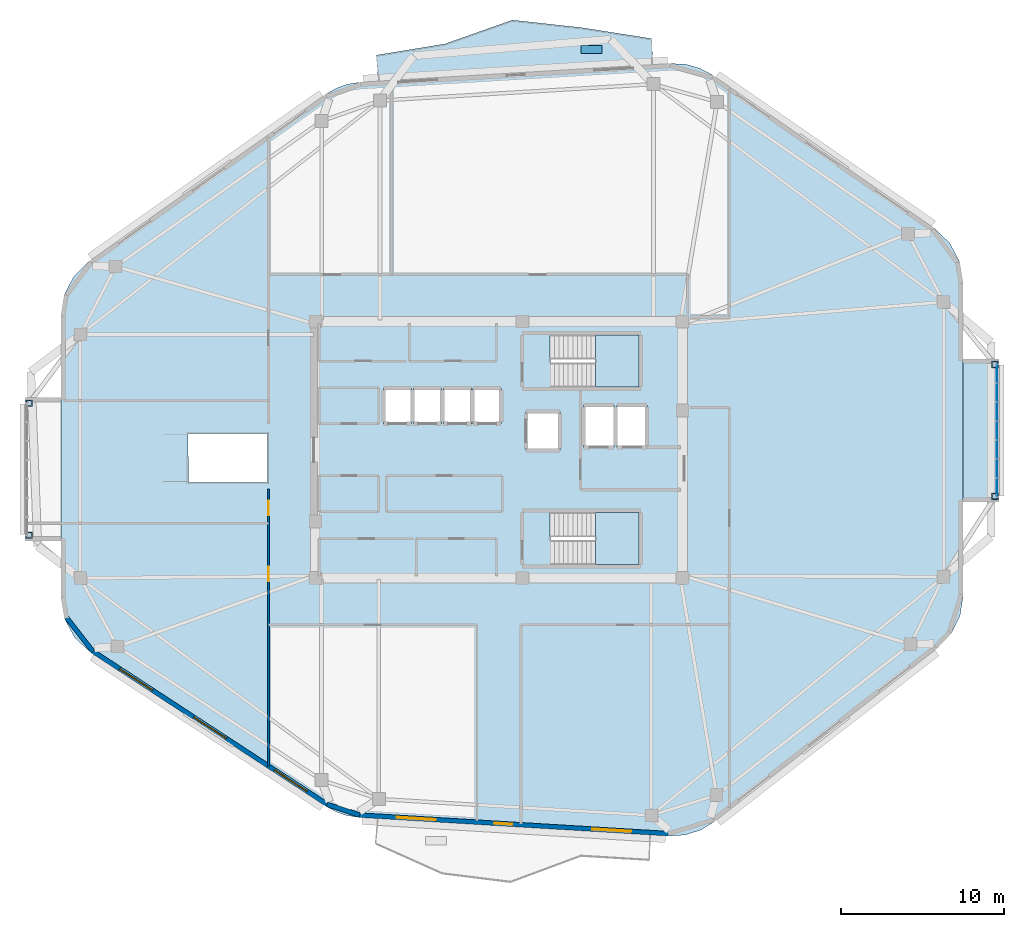
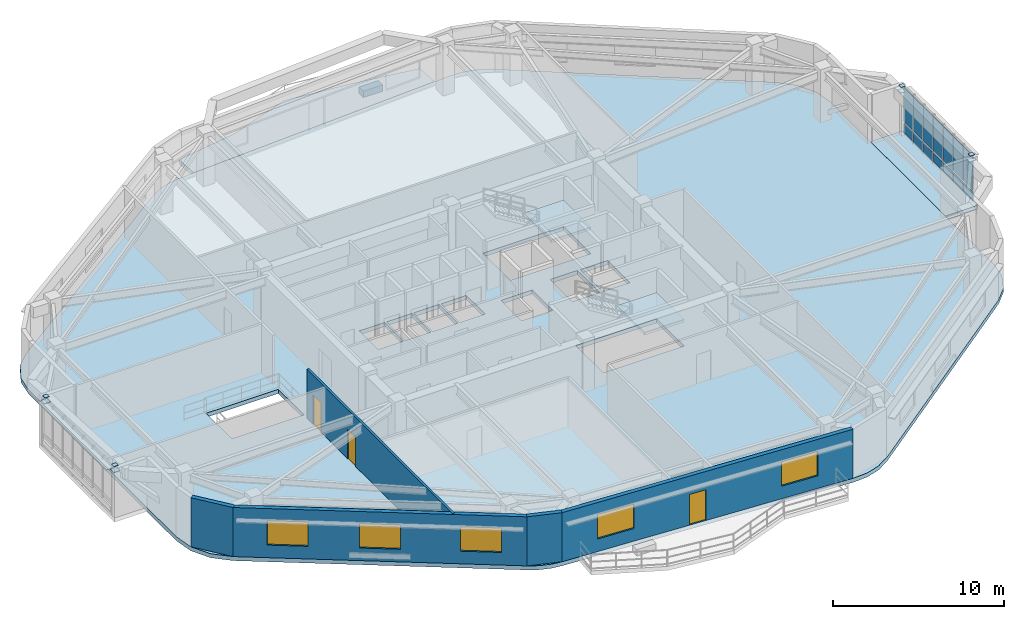
# One storey, part 10 of 16: 23 plates, 5 slabs, 5 walls, 5 windows, 3 doors, 8 openings, 3 elements without a shape of their own.
"""IFC4 building model written with IfcOpenShell, lengths in metres."""

from ifc_helpers import new_model, si_unit, direction, frame, frame_2d, origin, origin_2d, place, context, subcontext, project, spatial, polyline, rectangle, outline, extrude, material, layer, layer_set, type_object, element, fill, aggregate, save


model = new_model("IFC4")

# Units and contexts
model_context = context("Model", 3, precision=1e-05, world=origin(), true_north=direction((0.0, 1.0)))
body_context = subcontext(model_context, "Body", "Model", "MODEL_VIEW")
ifc_project = project(units=[si_unit("LENGTHUNIT", "METRE"), si_unit("AREAUNIT", "SQUARE_METRE"), si_unit("VOLUMEUNIT", "CUBIC_METRE"), si_unit("PLANEANGLEUNIT", "RADIAN"), si_unit("MASSUNIT", "GRAM", prefix="KILO")], contexts=[model_context])

# Site, building, storey
site_placement = place(None, origin())
site = spatial("IfcSite", under=ifc_project, at=site_placement, CompositionType="ELEMENT")
building_placement = place(site_placement, origin())
building = spatial("IfcBuilding", under=site, at=building_placement, Name="Zulverin Broadcast Headquarters", CompositionType="ELEMENT")
storey_placement = place(building_placement, frame((0.0, 0.0, 228.800048828125)))
storey = spatial("IfcBuildingStorey", under=building, at=storey_placement, Name="L58", CompositionType="ELEMENT", Elevation=228.800048828125)

# Curtain wall, plates
ifc_material_1 = material(Name="Acoustic triple-glazed studio box curtain wall", Category="aluminium")
curtain_wall_type = type_object("IfcCurtainWallType", Name="CW-SBOX", PredefinedType="USERDEFINED", material=ifc_material_1)
curtain_wall_placement = place(storey_placement, origin())
curtain_wall = element("IfcCurtainWall", 1, at=curtain_wall_placement, inside=storey, type_object=curtain_wall_type, Name="L58 Unitised Curtain Wall CW-L58-SBOX_SKY2_E-F", ObjectType="UNITISED CURTAIN WALL", PredefinedType="USERDEFINED")
ifc_material_2 = material(Name="Low-E double-glazed pale-silver vision glass", Category="glass")
ifc_layer_1 = layer(ifc_material_2, 0.035888671875, Name="Low-E double-glazed pale-silver vision glass", Category="glass")
ifc_layer_set_1 = layer_set([ifc_layer_1], Name="Low-E double-glazed pale-silver vision glass")
plate_type_1 = type_object("IfcPlateType", Name="CW-PNL-GLZ", PredefinedType="CURTAIN_PANEL", material=ifc_layer_set_1)
plate_1_placement = place(storey_placement, frame((67.580078125, 22.892822265625, 0.9072265625), z_axis=(0.0, 0.0, 1.0), x_axis=(0.0, 1.0, 0.0)))
plate_1 = element("IfcPlate", 2, at=plate_1_placement, type_object=plate_type_1, Name="CW-L58-SBOX_SKY2_E-F Vision Panel 00", PredefinedType="CURTAIN_PANEL", context=body_context, shape_type="SweptSolid", body=[
    extrude(rectangle(XDim=1.125732421875, YDim=0.035888671875, at=origin_2d()), origin(), (0.0, 0.0, 1.0), 2.462646484375),
])
plate_2_placement = place(storey_placement, frame((67.580078125, 24.05859375, 0.9072265625), z_axis=(0.0, 0.0, 1.0), x_axis=(0.0, 1.0, 0.0)))
plate_2 = element("IfcPlate", 3, at=plate_2_placement, type_object=plate_type_1, Name="CW-L58-SBOX_SKY2_E-F Vision Panel 01", PredefinedType="CURTAIN_PANEL", context=body_context, shape_type="SweptSolid", body=[
    extrude(rectangle(XDim=1.125732421875, YDim=0.035888671875, at=origin_2d()), origin(), (0.0, 0.0, 1.0), 2.462646484375),
])
plate_3_placement = place(storey_placement, frame((67.580078125, 25.224365234375, 0.9072265625), z_axis=(0.0, 0.0, 1.0), x_axis=(0.0, 1.0, 0.0)))
plate_3 = element("IfcPlate", 4, at=plate_3_placement, type_object=plate_type_1, Name="CW-L58-SBOX_SKY2_E-F Vision Panel 02", PredefinedType="CURTAIN_PANEL", context=body_context, shape_type="SweptSolid", body=[
    extrude(rectangle(XDim=1.125732421875, YDim=0.035888671875, at=origin_2d()), origin(), (0.0, 0.0, 1.0), 2.462646484375),
])
plate_4_placement = place(storey_placement, frame((67.580078125, 26.389892578125, 0.9072265625), z_axis=(0.0, 0.0, 1.0), x_axis=(0.0, 1.0, 0.0)))
plate_4 = element("IfcPlate", 5, at=plate_4_placement, type_object=plate_type_1, Name="CW-L58-SBOX_SKY2_E-F Vision Panel 03", PredefinedType="CURTAIN_PANEL", context=body_context, shape_type="SweptSolid", body=[
    extrude(rectangle(XDim=1.125732421875, YDim=0.035888671875, at=origin_2d()), origin(), (0.0, 0.0, 1.0), 2.462646484375),
])
plate_5_placement = place(storey_placement, frame((67.580078125, 27.5556640625, 0.9072265625), z_axis=(0.0, 0.0, 1.0), x_axis=(0.0, 1.0, 0.0)))
plate_5 = element("IfcPlate", 6, at=plate_5_placement, type_object=plate_type_1, Name="CW-L58-SBOX_SKY2_E-F Vision Panel 04", PredefinedType="CURTAIN_PANEL", context=body_context, shape_type="SweptSolid", body=[
    extrude(rectangle(XDim=1.125732421875, YDim=0.035888671875, at=origin_2d()), origin(), (0.0, 0.0, 1.0), 2.462646484375),
])
plate_6_placement = place(storey_placement, frame((67.580078125, 28.721435546875, 0.9072265625), z_axis=(0.0, 0.0, 1.0), x_axis=(0.0, 1.0, 0.0)))
plate_6 = element("IfcPlate", 7, at=plate_6_placement, type_object=plate_type_1, Name="CW-L58-SBOX_SKY2_E-F Vision Panel 05", PredefinedType="CURTAIN_PANEL", context=body_context, shape_type="SweptSolid", body=[
    extrude(rectangle(XDim=1.125732421875, YDim=0.035888671875, at=origin_2d()), origin(), (0.0, 0.0, 1.0), 2.462646484375),
])
plate_7_placement = place(storey_placement, frame((67.580078125, 29.88720703125, 0.9072265625), z_axis=(0.0, 0.0, 1.0), x_axis=(0.0, 1.0, 0.0)))
plate_7 = element("IfcPlate", 8, at=plate_7_placement, type_object=plate_type_1, Name="CW-L58-SBOX_SKY2_E-F Vision Panel 06", PredefinedType="CURTAIN_PANEL", context=body_context, shape_type="SweptSolid", body=[
    extrude(rectangle(XDim=1.125732421875, YDim=0.035888671875, at=origin_2d()), origin(), (0.0, 0.0, 1.0), 2.462646484375),
])
ifc_material_3 = material(Name="Insulated brushed pale-aluminium spandrel cassette", Category="aluminium")
ifc_layer_2 = layer(ifc_material_3, 0.050048828125, Name="Insulated brushed pale-aluminium spandrel cassette", Category="aluminium")
ifc_layer_set_2 = layer_set([ifc_layer_2], Name="Insulated brushed pale-aluminium spandrel cassette")
plate_type_2 = type_object("IfcPlateType", Name="CW-PNL-SPN", PredefinedType="CURTAIN_PANEL", material=ifc_layer_set_2)
plate_8_placement = place(storey_placement, frame((67.580078125, 22.892822265625, 0.14013671875), z_axis=(0.0, 0.0, 1.0), x_axis=(0.0, 1.0, 0.0)))
plate_8 = element("IfcPlate", 9, at=plate_8_placement, type_object=plate_type_2, Name="CW-L58-SBOX_SKY2_E-F Spandrel Cassette 00", PredefinedType="CURTAIN_PANEL", context=body_context, shape_type="SweptSolid", body=[
    extrude(rectangle(XDim=1.125732421875, YDim=0.050048828125, at=origin_2d()), origin(), (0.0, 0.0, 1.0), 0.637451171875),
])
plate_9_placement = place(storey_placement, frame((67.580078125, 24.05859375, 0.14013671875), z_axis=(0.0, 0.0, 1.0), x_axis=(0.0, 1.0, 0.0)))
plate_9 = element("IfcPlate", 10, at=plate_9_placement, type_object=plate_type_2, Name="CW-L58-SBOX_SKY2_E-F Spandrel Cassette 01", PredefinedType="CURTAIN_PANEL", context=body_context, shape_type="SweptSolid", body=[
    extrude(rectangle(XDim=1.125732421875, YDim=0.050048828125, at=origin_2d()), origin(), (0.0, 0.0, 1.0), 0.637451171875),
])
plate_10_placement = place(storey_placement, frame((67.580078125, 25.224365234375, 0.14013671875), z_axis=(0.0, 0.0, 1.0), x_axis=(0.0, 1.0, 0.0)))
plate_10 = element("IfcPlate", 11, at=plate_10_placement, type_object=plate_type_2, Name="CW-L58-SBOX_SKY2_E-F Spandrel Cassette 02", PredefinedType="CURTAIN_PANEL", context=body_context, shape_type="SweptSolid", body=[
    extrude(rectangle(XDim=1.125732421875, YDim=0.050048828125, at=origin_2d()), origin(), (0.0, 0.0, 1.0), 0.637451171875),
])
plate_11_placement = place(storey_placement, frame((67.580078125, 26.389892578125, 0.14013671875), z_axis=(0.0, 0.0, 1.0), x_axis=(0.0, 1.0, 0.0)))
plate_11 = element("IfcPlate", 12, at=plate_11_placement, type_object=plate_type_2, Name="CW-L58-SBOX_SKY2_E-F Spandrel Cassette 03", PredefinedType="CURTAIN_PANEL", context=body_context, shape_type="SweptSolid", body=[
    extrude(rectangle(XDim=1.125732421875, YDim=0.050048828125, at=origin_2d()), origin(), (0.0, 0.0, 1.0), 0.637451171875),
])
plate_12_placement = place(storey_placement, frame((67.580078125, 27.5556640625, 0.14013671875), z_axis=(0.0, 0.0, 1.0), x_axis=(0.0, 1.0, 0.0)))
plate_12 = element("IfcPlate", 13, at=plate_12_placement, type_object=plate_type_2, Name="CW-L58-SBOX_SKY2_E-F Spandrel Cassette 04", PredefinedType="CURTAIN_PANEL", context=body_context, shape_type="SweptSolid", body=[
    extrude(rectangle(XDim=1.125732421875, YDim=0.050048828125, at=origin_2d()), origin(), (0.0, 0.0, 1.0), 0.637451171875),
])
plate_13_placement = place(storey_placement, frame((67.580078125, 28.721435546875, 0.14013671875), z_axis=(0.0, 0.0, 1.0), x_axis=(0.0, 1.0, 0.0)))
plate_13 = element("IfcPlate", 14, at=plate_13_placement, type_object=plate_type_2, Name="CW-L58-SBOX_SKY2_E-F Spandrel Cassette 05", PredefinedType="CURTAIN_PANEL", context=body_context, shape_type="SweptSolid", body=[
    extrude(rectangle(XDim=1.125732421875, YDim=0.050048828125, at=origin_2d()), origin(), (0.0, 0.0, 1.0), 0.637451171875),
])
plate_14_placement = place(storey_placement, frame((67.580078125, 29.88720703125, 0.14013671875), z_axis=(0.0, 0.0, 1.0), x_axis=(0.0, 1.0, 0.0)))
plate_14 = element("IfcPlate", 15, at=plate_14_placement, type_object=plate_type_2, Name="CW-L58-SBOX_SKY2_E-F Spandrel Cassette 06", PredefinedType="CURTAIN_PANEL", context=body_context, shape_type="SweptSolid", body=[
    extrude(rectangle(XDim=1.125732421875, YDim=0.050048828125, at=origin_2d()), origin(), (0.0, 0.0, 1.0), 0.637451171875),
])
aggregate(curtain_wall, [plate_8, plate_1, plate_9, plate_2, plate_10, plate_3, plate_11, plate_4, plate_12, plate_5, plate_13, plate_6, plate_14, plate_7])

# Plates
ifc_material_4 = material(Name="Structural steel S355JR", Category="steel")
ifc_layer_3 = layer(ifc_material_4, 0.02490234375, Name="Structural steel S355JR", Category="steel")
ifc_layer_set_3 = layer_set([ifc_layer_3], Name="Structural steel S355JR")
plate_type_3 = type_object("IfcPlateType", Name="PLT-NODE-SBN1", PredefinedType="SHEET", material=ifc_layer_set_3)
plate_15_placement = place(storey_placement, frame((67.449951171875, 22.340087890625, 3.507568359375), z_axis=(0.0, 0.0, 1.0), x_axis=(1.0, 0.0, 0.0)))
element("IfcPlate", 16, at=plate_15_placement, inside=storey, type_object=plate_type_3, Name="SBN-1 Studio Box Post End Cap Plate L58-SBOX_SKY2_E-1", PredefinedType="SHEET", context=body_context, shape_type="SweptSolid", body=[
    extrude(rectangle(XDim=0.300048828125, YDim=0.300048828125, at=origin_2d()), origin(), (0.0, 0.0, 1.0), 0.02490234375),
])
plate_16_placement = place(storey_placement, frame((67.449951171875, 22.340087890625, 3.1474609375), z_axis=(0.0, 0.0, 1.0), x_axis=(1.0, 0.0, 0.0)))
element("IfcPlate", 17, at=plate_16_placement, inside=storey, type_object=plate_type_3, Name="SBN-1 Studio Box Node Gusset Plate L58-SBOX_SKY2_E-1", PredefinedType="SHEET", context=body_context, shape_type="SweptSolid", body=[
    extrude(rectangle(XDim=0.419921875, YDim=0.419921875, at=origin_2d()), origin(), (0.0, 0.0, 1.0), 0.02490234375),
])
plate_17_placement = place(storey_placement, frame((67.449951171875, 30.43994140625, 3.507568359375), z_axis=(0.0, 0.0, 1.0), x_axis=(1.0, 0.0, 0.0)))
element("IfcPlate", 18, at=plate_17_placement, inside=storey, type_object=plate_type_3, Name="SBN-1 Studio Box Post End Cap Plate L58-SBOX_SKY2_E-2", PredefinedType="SHEET", context=body_context, shape_type="SweptSolid", body=[
    extrude(rectangle(XDim=0.300048828125, YDim=0.300048828125, at=origin_2d()), origin(), (0.0, 0.0, 1.0), 0.02490234375),
])
plate_18_placement = place(storey_placement, frame((67.449951171875, 30.43994140625, 3.1474609375), z_axis=(0.0, 0.0, 1.0), x_axis=(1.0, 0.0, 0.0)))
element("IfcPlate", 19, at=plate_18_placement, inside=storey, type_object=plate_type_3, Name="SBN-1 Studio Box Node Gusset Plate L58-SBOX_SKY2_E-2", PredefinedType="SHEET", context=body_context, shape_type="SweptSolid", body=[
    extrude(rectangle(XDim=0.419921875, YDim=0.419921875, at=origin_2d()), origin(), (0.0, 0.0, 1.0), 0.02490234375),
])
plate_19_placement = place(storey_placement, frame((8.14990234375, 19.9599609375, 3.507568359375), z_axis=(0.0, 0.0, 1.0), x_axis=(1.0, 0.0, 0.0)))
element("IfcPlate", 20, at=plate_19_placement, inside=storey, type_object=plate_type_3, Name="SBN-1 Studio Box Post End Cap Plate L58-SBOX_SKY2_W-1", PredefinedType="SHEET", context=body_context, shape_type="SweptSolid", body=[
    extrude(rectangle(XDim=0.300048828125, YDim=0.300048828125, at=origin_2d()), origin(), (0.0, 0.0, 1.0), 0.02490234375),
])
plate_20_placement = place(storey_placement, frame((8.14990234375, 19.9599609375, 3.1474609375), z_axis=(0.0, 0.0, 1.0), x_axis=(1.0, 0.0, 0.0)))
element("IfcPlate", 21, at=plate_20_placement, inside=storey, type_object=plate_type_3, Name="SBN-1 Studio Box Node Gusset Plate L58-SBOX_SKY2_W-1", PredefinedType="SHEET", context=body_context, shape_type="SweptSolid", body=[
    extrude(rectangle(XDim=0.419921875, YDim=0.419921875, at=origin_2d()), origin(), (0.0, 0.0, 1.0), 0.02490234375),
])
plate_21_placement = place(storey_placement, frame((8.14990234375, 28.06005859375, 3.507568359375), z_axis=(0.0, 0.0, 1.0), x_axis=(1.0, 0.0, 0.0)))
element("IfcPlate", 22, at=plate_21_placement, inside=storey, type_object=plate_type_3, Name="SBN-1 Studio Box Post End Cap Plate L58-SBOX_SKY2_W-2", PredefinedType="SHEET", context=body_context, shape_type="SweptSolid", body=[
    extrude(rectangle(XDim=0.300048828125, YDim=0.300048828125, at=origin_2d()), origin(), (0.0, 0.0, 1.0), 0.02490234375),
])
plate_22_placement = place(storey_placement, frame((8.14990234375, 28.06005859375, 3.1474609375), z_axis=(0.0, 0.0, 1.0), x_axis=(1.0, 0.0, 0.0)))
element("IfcPlate", 23, at=plate_22_placement, inside=storey, type_object=plate_type_3, Name="SBN-1 Studio Box Node Gusset Plate L58-SBOX_SKY2_W-2", PredefinedType="SHEET", context=body_context, shape_type="SweptSolid", body=[
    extrude(rectangle(XDim=0.419921875, YDim=0.419921875, at=origin_2d()), origin(), (0.0, 0.0, 1.0), 0.02490234375),
])
ifc_material_5 = material(Name="Precast concrete C45/55", Category="concrete")
ifc_layer_4 = layer(ifc_material_5, 0.449951171875, Name="Precast concrete C45/55", Category="concrete")
ifc_layer_set_4 = layer_set([ifc_layer_4], Name="Precast concrete C45/55")
plate_type_4 = type_object("IfcPlateType", Name="PT-01_PRECAST_GFRC_TREE_PLANTER", PredefinedType="USERDEFINED", material=ifc_layer_set_4)
plate_23_placement = place(storey_placement, frame((42.6767578125, 49.7744140625, -0.0048828125), z_axis=(0.0, 0.0, 1.0), x_axis=(1.0, 0.0, 0.0)))
element("IfcPlate", 24, at=plate_23_placement, inside=storey, type_object=plate_type_4, Name="L58 Precast GFRC Tree Planter BAL_N", ObjectType="PLANTER", PredefinedType="USERDEFINED", context=body_context, shape_type="SweptSolid", body=[
    extrude(rectangle(XDim=1.300048828125, YDim=0.5, at=origin_2d()), origin(), (0.0, 0.0, 1.0), 0.449951171875),
])

# Slab
ifc_material_6 = material(Name="Concrete C40/50", Category="concrete")
ifc_layer_5 = layer(ifc_material_6, 0.2900390625, Name="Concrete C40/50", Category="concrete")
ifc_layer_set_5 = layer_set([ifc_layer_5], Name="Concrete C40/50")
slab_type_1 = type_object("IfcSlabType", Name="SLB-BAL-290", PredefinedType="FLOOR", material=ifc_layer_set_5)
slab_1_placement = place(storey_placement, frame((0.0, 0.0, -0.2900390625)))
element("IfcSlab", 25, at=slab_1_placement, inside=storey, type_object=slab_type_1, Name="L58 Cantilevered Planted Balcony Slab BAL_N", PredefinedType="FLOOR", context=body_context, shape_type="SweptSolid", body=[
    extrude(outline(polyline([(29.5791015625, 47.835693359375), (46.45947265625, 48.849365234375), (46.363525390625, 50.4462890625), (42.087890625, 51.118896484375), (37.824462890625, 51.58740234375), (33.677001953125, 50.1201171875), (29.483154296875, 49.43310546875), (29.5791015625, 47.835693359375)])), origin(), (0.0, 0.0, 1.0), 0.2900390625),
])

# Stair, slab
stair_type = type_object("IfcStairType", Name="ST-CORE-1500", PredefinedType="HALF_TURN_STAIR", material=ifc_material_6)
stair_1_placement = place(storey_placement, origin())
stair_1 = element("IfcStair", 26, at=stair_1_placement, inside=storey, type_object=stair_type, Name="L58 Core Exit Stair ST-1", PredefinedType="HALF_TURN_STAIR")
ifc_layer_6 = layer(ifc_material_6, 0.199951171875, Name="Concrete C40/50", Category="concrete")
ifc_layer_set_6 = layer_set([ifc_layer_6], Name="Concrete C40/50")
slab_type_2 = type_object("IfcSlabType", Name="SLB-ST-LND200", PredefinedType="LANDING", material=ifc_layer_set_6)
slab_2_placement = place(storey_placement, frame((0.0, 0.0, 1.699951171875)))
slab_2 = element("IfcSlab", 27, at=slab_2_placement, type_object=slab_type_2, Name="ST-1 landing 1", PredefinedType="LANDING", context=body_context, shape_type="SweptSolid", body=[
    extrude(outline(polyline([(42.929931640625, 29.050048828125), (45.60009765625, 29.050048828125), (45.60009765625, 32.25), (42.929931640625, 32.25), (42.929931640625, 29.050048828125)])), origin(), (0.0, 0.0, 1.0), 0.199951171875),
])
aggregate(stair_1, [slab_2])

stair_2_placement = place(storey_placement, origin())
stair_2 = element("IfcStair", 28, at=stair_2_placement, inside=storey, type_object=stair_type, Name="L58 Core Exit Stair ST-2", PredefinedType="HALF_TURN_STAIR")
slab_3_placement = place(storey_placement, frame((0.0, 0.0, 1.699951171875)))
slab_3 = element("IfcSlab", 29, at=slab_3_placement, type_object=slab_type_2, Name="ST-2 landing 1", PredefinedType="LANDING", context=body_context, shape_type="SweptSolid", body=[
    extrude(outline(polyline([(42.929931640625, 18.14990234375), (45.60009765625, 18.14990234375), (45.60009765625, 21.35009765625), (42.929931640625, 21.35009765625), (42.929931640625, 18.14990234375)])), origin(), (0.0, 0.0, 1.0), 0.199951171875),
])
aggregate(stair_2, [slab_3])

# Slabs
ifc_layer_7 = layer(ifc_material_6, 0.2900390625, Name="Concrete C40/50", Category="concrete")
ifc_layer_set_7 = layer_set([ifc_layer_7], Name="Concrete C40/50")
slab_type_3 = type_object("IfcSlabType", Name="SLB-TWR-290", PredefinedType="FLOOR", material=ifc_layer_set_7)
slab_4_placement = place(storey_placement, frame((0.0, 0.0, -0.2900390625)))
element("IfcSlab", 30, at=slab_4_placement, inside=storey, type_object=slab_type_3, Name="L58 Main Structural Floor Slab", PredefinedType="FLOOR", context=body_context, shape_type="SweptSolid", body=[
    extrude(outline(polyline([(26.405029296875, 3.295166015625), (27.029296875, 2.96044921875), (27.70166015625, 2.738037109375), (28.402099609375, 2.634765625), (47.427490234375, 1.49267578125), (48.40869140625, 1.5517578125), (49.347412109375, 1.842529296875), (50.18994140625, 2.348388671875), (63.91650390625, 13.02099609375), (64.7685546875, 13.92041015625), (65.312744140625, 15.033203125), (65.5, 16.2578125), (65.5, 35.42578125), (65.289306640625, 36.723388671875), (64.6787109375, 37.887451171875), (63.73095703125, 38.798583984375), (50.13427734375, 48.1953125), (49.3359375, 48.625244140625), (48.462890625, 48.869140625), (47.557373046875, 48.915283203125), (28.48095703125, 47.77001953125), (27.73291015625, 47.655029296875), (27.0185546875, 47.404541015625), (26.362548828125, 47.027099609375), (11.8359375, 36.775146484375), (10.9052734375, 35.865478515625), (10.306396484375, 34.710205078125), (10.10009765625, 33.42529296875), (10.10009765625, 16.168701171875), (10.322021484375, 14.83740234375), (10.96435546875, 13.650390625), (11.957275390625, 12.736328125), (26.405029296875, 3.295166015625)]), holes=[polyline([(40.155029296875, 30.75), (40.130126953125, 30.75), (40.130126953125, 32.25), (45.60009765625, 32.25), (45.60009765625, 29.050048828125), (40.155029296875, 29.050048828125), (40.155029296875, 30.75)]), polyline([(40.155029296875, 19.85009765625), (40.130126953125, 19.85009765625), (40.130126953125, 21.35009765625), (45.60009765625, 21.35009765625), (45.60009765625, 18.14990234375), (40.155029296875, 18.14990234375), (40.155029296875, 19.85009765625)]), polyline([(17.925048828125, 24.800048828125), (17.900146484375, 24.800048828125), (17.900146484375, 26.199951171875), (22.800048828125, 26.199951171875), (22.800048828125, 23.199951171875), (17.925048828125, 23.199951171875), (17.925048828125, 24.800048828125)]), polyline([(29.89990234375, 26.800048828125), (31.6201171875, 26.800048828125), (31.6201171875, 29.0), (29.89990234375, 29.0), (29.89990234375, 26.800048828125)]), polyline([(31.739990234375, 26.800048828125), (33.4599609375, 26.800048828125), (33.4599609375, 29.0), (31.739990234375, 29.0), (31.739990234375, 26.800048828125)]), polyline([(33.580078125, 26.800048828125), (35.300048828125, 26.800048828125), (35.300048828125, 29.0), (33.580078125, 29.0), (33.580078125, 26.800048828125)]), polyline([(35.419921875, 26.800048828125), (37.139892578125, 26.800048828125), (37.139892578125, 29.0), (35.419921875, 29.0), (35.419921875, 26.800048828125)]), polyline([(42.199951171875, 25.35009765625), (44.050048828125, 25.35009765625), (44.050048828125, 27.949951171875), (42.199951171875, 27.949951171875), (42.199951171875, 25.35009765625)]), polyline([(44.25, 25.35009765625), (46.10009765625, 25.35009765625), (46.10009765625, 27.949951171875), (44.25, 27.949951171875), (44.25, 25.35009765625)]), polyline([(38.64990234375, 25.14990234375), (40.75, 25.14990234375), (40.75, 27.550048828125), (38.64990234375, 27.550048828125), (38.64990234375, 25.14990234375)])]), origin(), (0.0, 0.0, 1.0), 0.2900390625),
])
slab_5_placement = place(storey_placement, frame((0.0, 0.0, -0.2900390625)))
element("IfcSlab", 31, at=slab_5_placement, inside=storey, type_object=slab_type_3, Name="L58 Shifted Broadcast Studio Box Floor Slab SBOX_SKY2_E", PredefinedType="FLOOR", context=body_context, shape_type="SweptSolid", body=[
    extrude(outline(polyline([(65.5, 21.989990234375), (67.699951171875, 21.989990234375), (67.699951171875, 30.7900390625), (65.5, 30.7900390625), (65.5, 21.989990234375)])), origin(), (0.0, 0.0, 1.0), 0.2900390625),
])

# Wall, openings, door, windows
ifc_material_7 = material(Name="Insulated pale-metal clad concrete spandrel C40/50", Category="concrete")
ifc_layer_8 = layer(ifc_material_7, 0.280029296875, Name="Insulated pale-metal clad concrete spandrel C40/50", Category="concrete")
ifc_layer_set_8 = layer_set([ifc_layer_8], Name="Insulated pale-metal clad concrete spandrel C40/50")
wall_type_1 = type_object("IfcWallType", Name="WL-EXT-280", PredefinedType="STANDARD", material=ifc_layer_set_8)
wall_1_placement = place(storey_placement, frame((28.41064453125, 2.7744140625, 0.0), z_axis=(0.0, 0.0, 1.0), x_axis=(0.998203068368, -0.059921901676, 0.0)))
wall_1 = element("IfcWall", 32, at=wall_1_placement, inside=storey, type_object=wall_type_1, Name="L58 Pale-Metal Clad Spandrel Wall 1", PredefinedType="STANDARD", context=body_context, shape_type="SweptSolid", body=[
    extrude(rectangle(XDim=19.0595703125, YDim=0.280029296875, at=frame_2d((9.52978515625, 0.0))), origin(), (0.0, 0.0, 1.0), 3.510009765625),
])
opening_1_placement = place(wall_1_placement, frame((8.329833984375, 0.0, 0.0)))
opening_1 = element("IfcOpeningElement", 33, at=opening_1_placement, cuts=wall_1, Name="Opening D-L58-TR1", PredefinedType="OPENING", context=body_context, shape_type="SweptSolid", body=[
    extrude(rectangle(XDim=1.10009765625, YDim=2.199951171875, at=frame_2d((0.550048828125, 1.10009765625))), frame((0.0, 0.14990234375, 0.0), z_axis=(0.0, -1.0, 0.0), x_axis=(1.0, 0.0, 0.0)), (0.0, 0.0, 1.0), 0.300048828125),
])
opening_2_placement = place(wall_1_placement, frame((2.309814453125, 0.0, 0.89990234375)))
opening_2 = element("IfcOpeningElement", 34, at=opening_2_placement, cuts=wall_1, Name="Opening W-L58-E11", PredefinedType="OPENING", context=body_context, shape_type="SweptSolid", body=[
    extrude(rectangle(XDim=2.39990234375, YDim=1.75, at=frame_2d((1.199951171875, 0.875))), frame((0.0, 0.14990234375, 0.0), z_axis=(0.0, -1.0, 0.0), x_axis=(1.0, 0.0, 0.0)), (0.0, 0.0, 1.0), 0.300048828125),
])
opening_3_placement = place(wall_1_placement, frame((14.349609375, 0.0, 0.89990234375)))
opening_3 = element("IfcOpeningElement", 35, at=opening_3_placement, cuts=wall_1, Name="Opening W-L58-E12", PredefinedType="OPENING", context=body_context, shape_type="SweptSolid", body=[
    extrude(rectangle(XDim=2.39990234375, YDim=1.75, at=frame_2d((1.199951171875, 0.875))), frame((0.0, 0.14990234375, 0.0), z_axis=(0.0, -1.0, 0.0), x_axis=(1.0, 0.0, 0.0)), (0.0, 0.0, 1.0), 0.300048828125),
])
ifc_material_8 = material(Name="Thermally broken aluminium glazed", Category="aluminium")
door_type_1 = type_object("IfcDoorType", Name="DR-TERR-1100", OperationType="SINGLE_SWING_RIGHT", PredefinedType="DOOR", material=ifc_material_8)
door_1_placement = place(opening_1_placement, origin())
door_1 = element("IfcDoor", 36, at=door_1_placement, inside=storey, type_object=door_type_1, Name="L58 Planted Terrace Glazed Access Door 1", OperationType="SINGLE_SWING_RIGHT", OverallHeight=2.199951171875, OverallWidth=1.10009765625, PredefinedType="DOOR", context=body_context, shape_type="SweptSolid", body=[
    extrude(rectangle(XDim=1.10009765625, YDim=2.199951171875, at=frame_2d((0.550048828125, 1.10009765625))), frame((0.0, 0.02490234375, 0.0), z_axis=(0.0, -1.0, 0.0), x_axis=(1.0, 0.0, 0.0)), (0.0, 0.0, 1.0), 0.050048828125),
])
fill(opening_1, door_1)
ifc_material_9 = material(Name="Pale anodized aluminium frame with solar-control low-E double glazing", Category="aluminium")
window_type = type_object("IfcWindowType", Name="WIN-RIB-2400", PartitioningType="SINGLE_PANEL", PredefinedType="WINDOW", material=ifc_material_9)
window_1_placement = place(opening_2_placement, origin())
window_1 = element("IfcWindow", 37, at=window_1_placement, inside=storey, type_object=window_type, Name="L58 Ribbon Glazing Window 1 1", OverallHeight=1.75, OverallWidth=2.39990234375, PartitioningType="SINGLE_PANEL", PredefinedType="WINDOW", context=body_context, shape_type="SweptSolid", body=[
    extrude(rectangle(XDim=2.39990234375, YDim=1.75, at=frame_2d((1.199951171875, 0.875))), frame((0.0, 0.030029296875, 0.0), z_axis=(0.0, -1.0, 0.0), x_axis=(1.0, 0.0, 0.0)), (0.0, 0.0, 1.0), 0.06005859375),
])
fill(opening_2, window_1)
window_2_placement = place(opening_3_placement, origin())
window_2 = element("IfcWindow", 38, at=window_2_placement, inside=storey, type_object=window_type, Name="L58 Ribbon Glazing Window 1 2", OverallHeight=1.75, OverallWidth=2.39990234375, PartitioningType="SINGLE_PANEL", PredefinedType="WINDOW", context=body_context, shape_type="SweptSolid", body=[
    extrude(rectangle(XDim=2.39990234375, YDim=1.75, at=frame_2d((1.199951171875, 0.875))), frame((0.0, 0.030029296875, 0.0), z_axis=(0.0, -1.0, 0.0), x_axis=(1.0, 0.0, 0.0)), (0.0, 0.0, 1.0), 0.06005859375),
])
fill(opening_3, window_2)

# Wall, openings, windows
wall_2_placement = place(storey_placement, frame((12.03369140625, 12.853515625, 0.0), z_axis=(0.0, 0.0, 1.0), x_axis=(0.837118352984, -0.547021812269, 0.0)))
wall_2 = element("IfcWall", 39, at=wall_2_placement, inside=storey, type_object=wall_type_1, Name="L58 Pale-Metal Clad Spandrel Wall 8", PredefinedType="STANDARD", context=body_context, shape_type="SweptSolid", body=[
    extrude(rectangle(XDim=17.25927734375, YDim=0.280029296875, at=frame_2d((8.629638671875, 0.0))), origin(), (0.0, 0.0, 1.0), 3.510009765625),
])
opening_4_placement = place(wall_2_placement, frame((2.010009765625, 0.0, 0.89990234375)))
opening_4 = element("IfcOpeningElement", 40, at=opening_4_placement, cuts=wall_2, Name="Opening W-L58-E81", PredefinedType="OPENING", context=body_context, shape_type="SweptSolid", body=[
    extrude(rectangle(XDim=2.39990234375, YDim=1.75, at=frame_2d((1.199951171875, 0.875))), frame((0.0, 0.14990234375, 0.0), z_axis=(0.0, -1.0, 0.0), x_axis=(1.0, 0.0, 0.0)), (0.0, 0.0, 1.0), 0.300048828125),
])
opening_5_placement = place(wall_2_placement, frame((7.4296875, 0.0, 0.89990234375)))
opening_5 = element("IfcOpeningElement", 41, at=opening_5_placement, cuts=wall_2, Name="Opening W-L58-E82", PredefinedType="OPENING", context=body_context, shape_type="SweptSolid", body=[
    extrude(rectangle(XDim=2.39990234375, YDim=1.75, at=frame_2d((1.199951171875, 0.875))), frame((0.0, 0.14990234375, 0.0), z_axis=(0.0, -1.0, 0.0), x_axis=(1.0, 0.0, 0.0)), (0.0, 0.0, 1.0), 0.300048828125),
])
opening_6_placement = place(wall_2_placement, frame((13.349365234375, 0.0, 0.89990234375)))
opening_6 = element("IfcOpeningElement", 42, at=opening_6_placement, cuts=wall_2, Name="Opening W-L58-E83", PredefinedType="OPENING", context=body_context, shape_type="SweptSolid", body=[
    extrude(rectangle(XDim=2.39990234375, YDim=1.75, at=frame_2d((1.199951171875, 0.875))), frame((0.0, 0.14990234375, 0.0), z_axis=(0.0, -1.0, 0.0), x_axis=(1.0, 0.0, 0.0)), (0.0, 0.0, 1.0), 0.300048828125),
])
window_3_placement = place(opening_4_placement, origin())
window_3 = element("IfcWindow", 43, at=window_3_placement, inside=storey, type_object=window_type, Name="L58 Ribbon Glazing Window 8 1", OverallHeight=1.75, OverallWidth=2.39990234375, PartitioningType="SINGLE_PANEL", PredefinedType="WINDOW", context=body_context, shape_type="SweptSolid", body=[
    extrude(rectangle(XDim=2.39990234375, YDim=1.75, at=frame_2d((1.199951171875, 0.875))), frame((0.0, 0.030029296875, 0.0), z_axis=(0.0, -1.0, 0.0), x_axis=(1.0, 0.0, 0.0)), (0.0, 0.0, 1.0), 0.06005859375),
])
fill(opening_4, window_3)
window_4_placement = place(opening_5_placement, origin())
window_4 = element("IfcWindow", 44, at=window_4_placement, inside=storey, type_object=window_type, Name="L58 Ribbon Glazing Window 8 2", OverallHeight=1.75, OverallWidth=2.39990234375, PartitioningType="SINGLE_PANEL", PredefinedType="WINDOW", context=body_context, shape_type="SweptSolid", body=[
    extrude(rectangle(XDim=2.39990234375, YDim=1.75, at=frame_2d((1.199951171875, 0.875))), frame((0.0, 0.030029296875, 0.0), z_axis=(0.0, -1.0, 0.0), x_axis=(1.0, 0.0, 0.0)), (0.0, 0.0, 1.0), 0.06005859375),
])
fill(opening_5, window_4)
window_5_placement = place(opening_6_placement, origin())
window_5 = element("IfcWindow", 45, at=window_5_placement, inside=storey, type_object=window_type, Name="L58 Ribbon Glazing Window 8 3", OverallHeight=1.75, OverallWidth=2.39990234375, PartitioningType="SINGLE_PANEL", PredefinedType="WINDOW", context=body_context, shape_type="SweptSolid", body=[
    extrude(rectangle(XDim=2.39990234375, YDim=1.75, at=frame_2d((1.199951171875, 0.875))), frame((0.0, 0.030029296875, 0.0), z_axis=(0.0, -1.0, 0.0), x_axis=(1.0, 0.0, 0.0)), (0.0, 0.0, 1.0), 0.06005859375),
])
fill(opening_6, window_5)

# Walls
wall_3_placement = place(storey_placement, frame((10.4326171875, 14.92333984375, 0.0), z_axis=(0.0, 0.0, 1.0), x_axis=(0.614181852676, -0.78916452774, 0.0)))
element("IfcWall", 46, at=wall_3_placement, inside=storey, type_object=wall_type_1, Name="L58 Wind-Shaped Corner Spandrel Wall 7-2", PredefinedType="STANDARD", context=body_context, shape_type="SweptSolid", body=[
    extrude(rectangle(XDim=2.662109375, YDim=0.280029296875, at=frame_2d((1.3310546875, 0.0))), origin(), (0.0, 0.0, 1.0), 3.510009765625),
])
wall_4_placement = place(storey_placement, frame((26.44921875, 3.427978515625, 0.0), z_axis=(0.0, 0.0, 1.0), x_axis=(0.949435039229, -0.313963542923, 0.0)))
element("IfcWall", 47, at=wall_4_placement, inside=storey, type_object=wall_type_1, Name="L58 Wind-Shaped Corner Spandrel Wall 8-1", PredefinedType="STANDARD", context=body_context, shape_type="SweptSolid", body=[
    extrude(rectangle(XDim=2.103515625, YDim=0.280029296875, at=frame_2d((1.0517578125, 0.0))), origin(), (0.0, 0.0, 1.0), 3.510009765625),
])

# Wall, openings, doors
ifc_material_10 = material(Name="Fire-rated gypsum stud partition", Category="gypsum")
ifc_layer_9 = layer(ifc_material_10, 0.14990234375, Name="Fire-rated gypsum stud partition", Category="gypsum")
ifc_layer_set_9 = layer_set([ifc_layer_9], Name="Fire-rated gypsum stud partition")
wall_type_2 = type_object("IfcWallType", Name="WL-PART-150", PredefinedType="PARTITIONING", material=ifc_layer_set_9)
wall_5_placement = place(storey_placement, frame((22.85009765625, 5.75830078125, 0.0), z_axis=(0.0, 0.0, 1.0), x_axis=(0.0, 1.0, 0.0)))
wall_5 = element("IfcWall", 48, at=wall_5_placement, inside=storey, type_object=wall_type_2, Name="L58 Gallery Partition Wall CG-07", PredefinedType="PARTITIONING", context=body_context, shape_type="SweptSolid", body=[
    extrude(rectangle(XDim=17.041748046875, YDim=0.14990234375, at=frame_2d((8.52099609375, 0.0))), origin(), (0.0, 0.0, 1.0), 3.510009765625),
])
opening_7_placement = place(wall_5_placement, frame((11.36669921875, 0.0, 0.0)))
opening_7 = element("IfcOpeningElement", 49, at=opening_7_placement, cuts=wall_5, Name="Opening D-L58-05", PredefinedType="OPENING", context=body_context, shape_type="SweptSolid", body=[
    extrude(rectangle(XDim=0.89990234375, YDim=2.10009765625, at=frame_2d((0.449951171875, 1.050048828125))), frame((0.0, 0.0849609375, 0.0), z_axis=(0.0, -1.0, 0.0), x_axis=(1.0, 0.0, 0.0)), (0.0, 0.0, 1.0), 0.169921875),
])
opening_8_placement = place(wall_5_placement, frame((15.421630859375, 0.0, 0.0)))
opening_8 = element("IfcOpeningElement", 50, at=opening_8_placement, cuts=wall_5, Name="Opening D-L58-06", PredefinedType="OPENING", context=body_context, shape_type="SweptSolid", body=[
    extrude(rectangle(XDim=0.89990234375, YDim=2.10009765625, at=frame_2d((0.449951171875, 1.050048828125))), frame((0.0, 0.0849609375, 0.0), z_axis=(0.0, -1.0, 0.0), x_axis=(1.0, 0.0, 0.0)), (0.0, 0.0, 1.0), 0.169921875),
])
ifc_material_11 = material(Name="Fire-rated hardwood veneer timber leaf", Category="wood")
door_type_2 = type_object("IfcDoorType", Name="DR-ROOM-900", OperationType="SINGLE_SWING_RIGHT", PredefinedType="DOOR", material=ifc_material_11)
door_2_placement = place(opening_7_placement, origin())
door_2 = element("IfcDoor", 51, at=door_2_placement, inside=storey, type_object=door_type_2, Name="L58 Executive Boardroom Door", OperationType="SINGLE_SWING_RIGHT", OverallHeight=2.10009765625, OverallWidth=0.89990234375, PredefinedType="DOOR", context=body_context, shape_type="SweptSolid", body=[
    extrude(rectangle(XDim=0.89990234375, YDim=2.10009765625, at=frame_2d((0.449951171875, 1.050048828125))), frame((0.0, 0.02490234375, 0.0), z_axis=(0.0, -1.0, 0.0), x_axis=(1.0, 0.0, 0.0)), (0.0, 0.0, 1.0), 0.050048828125),
])
fill(opening_7, door_2)
door_3_placement = place(opening_8_placement, origin())
door_3 = element("IfcDoor", 52, at=door_3_placement, inside=storey, type_object=door_type_2, Name="L58 Briefing Room Door", OperationType="SINGLE_SWING_LEFT", OverallHeight=2.10009765625, OverallWidth=0.89990234375, PredefinedType="DOOR", context=body_context, shape_type="SweptSolid", body=[
    extrude(rectangle(XDim=0.89990234375, YDim=2.10009765625, at=frame_2d((0.449951171875, 1.050048828125))), frame((0.0, 0.02490234375, 0.0), z_axis=(0.0, -1.0, 0.0), x_axis=(1.0, 0.0, 0.0)), (0.0, 0.0, 1.0), 0.050048828125),
])
fill(opening_8, door_3)

save(model, "model.ifc")
